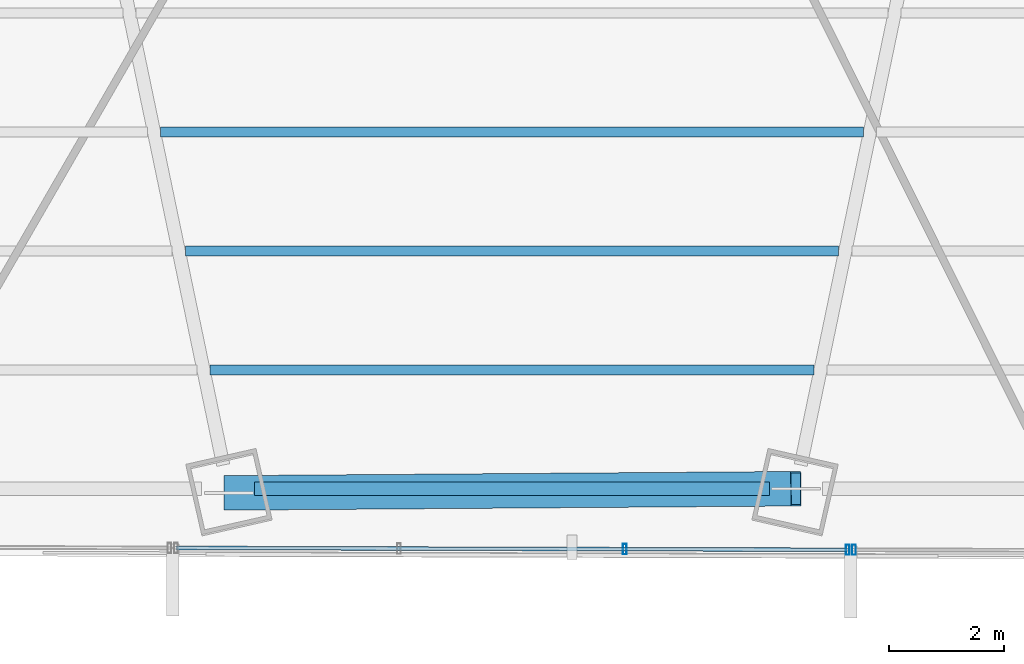
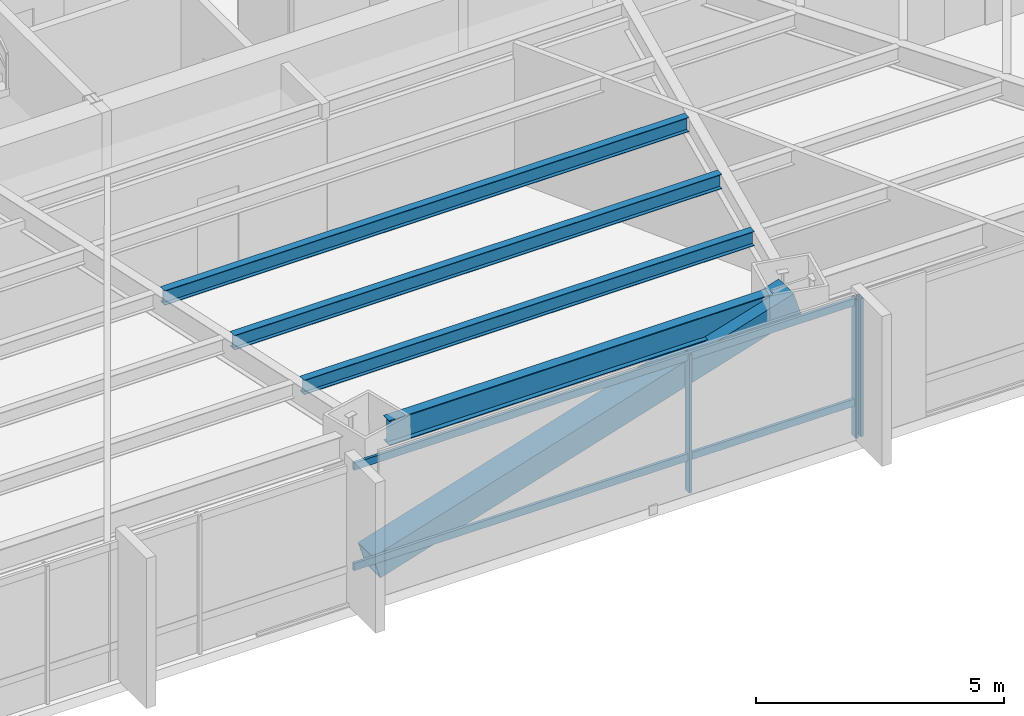
# One storey, part 6 of 33: 6 members, 4 beams, 2 elements without a shape of their own.
"""IFC4 building model written with IfcOpenShell, lengths in metres."""

import ifcopenshell
import ifcopenshell.guid

model = None  # the IFC model being written
_history = None  # IfcOwnerHistory: only IFC2X3 demands one
_inside = {}  # id of a spatial element -> (the spatial element, [elements in it])
_under = {}  # id of a project, library or spatial element -> (it, [spatial elements below it])
_declared = {}  # id of a project -> (the project, [libraries it declares])
_typed = {}  # id of a type object -> (the type object, [elements of that type])
_made_of = {}  # id of a material, layer set ... -> (it, [elements and type objects made of it])


def new_model(schema):
    """Start an empty IFC model of exactly this schema.

    Asked for "IFC4X3", IfcOpenShell would pick the latest addendum, in which some entities
    have other attributes; the version numbers below select the first issue.
    IFC2X3 requires an IfcOwnerHistory on every rooted entity: one is made here for all.
    """
    global model, _history
    if schema == "IFC4X3":
        model = ifcopenshell.file(schema_version=(4, 3, 0, 0))
    else:
        model = ifcopenshell.file(schema=schema)
    _inside.clear()
    _under.clear()
    _declared.clear()
    _typed.clear()
    _made_of.clear()
    _history = None
    if model.schema == "IFC2X3":
        org = make("IfcOrganization", Name="unknown")
        user = make(
            "IfcPersonAndOrganization",
            ThePerson=make("IfcPerson", FamilyName="unknown"),
            TheOrganization=org,
        )
        app = make(
            "IfcApplication",
            ApplicationDeveloper=org,
            Version="unknown",
            ApplicationFullName="unknown",
            ApplicationIdentifier="unknown",
        )
        _history = make(
            "IfcOwnerHistory",
            OwningUser=user,
            OwningApplication=app,
            ChangeAction="ADDED",
            CreationDate=0,
        )
    return model


def make(cls, **values):
    """One entity of the class cls with the attributes given. An attribute that is None is left unset."""
    return model.create_entity(
        cls, **{name: value for name, value in values.items() if value is not None}
    )


def rooted(cls, **values):
    """An entity with a GlobalId (a new one), such as an element, a storey or a relation."""
    return make(cls, GlobalId=ifcopenshell.guid.new(), OwnerHistory=_history, **values)


def si_unit(unit_type, name, prefix=None):
    """IfcSIUnit, for example si_unit("LENGTHUNIT", "METRE", prefix="MILLI")."""
    return make("IfcSIUnit", UnitType=unit_type, Prefix=prefix, Name=name)


def assignment(units):
    """IfcUnitAssignment: the units of a project."""
    return None if units is None else make("IfcUnitAssignment", Units=units)


def point(xyz):
    """IfcCartesianPoint."""
    return None if xyz is None else make("IfcCartesianPoint", Coordinates=xyz)


def direction(xyz):
    """IfcDirection."""
    return None if xyz is None else make("IfcDirection", DirectionRatios=xyz)


def frame(location, z_axis=None, x_axis=None):
    """IfcAxis2Placement3D, a coordinate frame: its origin and axes. An axis left out is left unset."""
    return make(
        "IfcAxis2Placement3D",
        Location=point(location),
        Axis=direction(z_axis),
        RefDirection=direction(x_axis),
    )


def frame_2d(location, x_axis=None):
    """IfcAxis2Placement2D, a coordinate frame in the plane: its origin and x axis."""
    return make(
        "IfcAxis2Placement2D", Location=point(location), RefDirection=direction(x_axis)
    )


def origin():
    """The frame at (0, 0, 0) with its axes left unset."""
    return frame((0.0, 0.0, 0.0))


def origin_2d():
    """The frame at (0, 0) in the plane with its x axis left unset."""
    return frame_2d((0.0, 0.0))


def place(relative_to, where):
    """IfcLocalPlacement: puts the frame where relative to a parent placement (None: the world)."""
    return make(
        "IfcLocalPlacement", PlacementRelTo=relative_to, RelativePlacement=where
    )


def context(
    kind, dimensions, precision=None, world=None, true_north=None, identifier=None
):
    """IfcGeometricRepresentationContext, for example the 3D "Model" context."""
    return make(
        "IfcGeometricRepresentationContext",
        ContextIdentifier=identifier,
        ContextType=kind,
        CoordinateSpaceDimension=dimensions,
        Precision=precision,
        WorldCoordinateSystem=world,
        TrueNorth=true_north,
    )


def subcontext(parent, identifier, kind, view, scale=None):
    """IfcGeometricRepresentationSubContext, for example "Body" below "Model"."""
    return make(
        "IfcGeometricRepresentationSubContext",
        ContextIdentifier=identifier,
        ContextType=kind,
        ParentContext=parent,
        TargetScale=scale,
        TargetView=view,
    )


def project(units=None, contexts=None):
    """IfcProject with its units and contexts."""
    return rooted(
        "IfcProject",
        Name="project",
        RepresentationContexts=contexts,
        UnitsInContext=assignment(units),
    )


def spatial(cls, under=None, at=None, **own):
    """A site, building, storey or space (cls), placed at a placement, below another one or the project."""
    s = rooted(cls, ObjectPlacement=at, **own)
    if under is not None:
        _under.setdefault(under.id(), (under, []))[1].append(s)
    return s


def profile(cls, at=None, kind="AREA", **sizes):
    """A parametric profile (cls). Its sizes go by their IFC names, for example OverallWidth=200.0."""
    return make(cls, ProfileType=kind, Position=at, **sizes)


def hollow_rectangle(**sizes):
    """IfcRectangleHollowProfileDef."""
    return profile("IfcRectangleHollowProfileDef", **sizes)


def i_section(**sizes):
    """IfcIShapeProfileDef."""
    return profile("IfcIShapeProfileDef", **sizes)


def extrude(swept, where, along, depth):
    """IfcExtrudedAreaSolid: the profile swept, set in the frame where, extruded along a direction by depth."""
    return make(
        "IfcExtrudedAreaSolid",
        SweptArea=swept,
        Position=where,
        ExtrudedDirection=direction(along),
        Depth=depth,
    )


def shape(context_of_items, identifier, shape_type, items):
    """IfcShapeRepresentation: the items that make up one representation, for example the "Body"."""
    return make(
        "IfcShapeRepresentation",
        ContextOfItems=context_of_items,
        RepresentationIdentifier=identifier,
        RepresentationType=shape_type,
        Items=items,
    )


def source(mapping_origin, context_of_items, identifier, shape_type, items):
    """IfcRepresentationMap: a shape defined once, which mapped items show again and again."""
    return make(
        "IfcRepresentationMap",
        MappingOrigin=mapping_origin,
        MappedRepresentation=shape(context_of_items, identifier, shape_type, items),
    )


def transform(
    local_origin,
    x_axis=None,
    y_axis=None,
    z_axis=None,
    scale=None,
    scale2=None,
    scale3=None,
    uniform=True,
):
    """IfcCartesianTransformationOperator3D, or its non-uniform kind. x_axis, y_axis, z_axis: its Axis1, 2, 3."""
    if uniform:
        return make(
            "IfcCartesianTransformationOperator3D",
            Axis1=direction(x_axis),
            Axis2=direction(y_axis),
            LocalOrigin=point(local_origin),
            Scale=scale,
            Axis3=direction(z_axis),
        )
    return make(
        "IfcCartesianTransformationOperator3DnonUniform",
        Axis1=direction(x_axis),
        Axis2=direction(y_axis),
        LocalOrigin=point(local_origin),
        Scale=scale,
        Axis3=direction(z_axis),
        Scale2=scale2,
        Scale3=scale3,
    )


def mapped(mapping_source, mapping_target):
    """IfcMappedItem: shows the shape of a source again, moved by a transform."""
    return make(
        "IfcMappedItem", MappingSource=mapping_source, MappingTarget=mapping_target
    )


def material(Name=None, Category=None):
    """IfcMaterial."""
    return make("IfcMaterial", Name=Name, Category=Category)


def material_profile(
    of_material, cross_section, Name=None, Category=None, Priority=None
):
    """IfcMaterialProfile: a cross section and its material."""
    return make(
        "IfcMaterialProfile",
        Name=Name,
        Material=of_material,
        Profile=cross_section,
        Priority=Priority,
        Category=Category,
    )


def profile_set(profiles, Name=None, composite=None):
    """IfcMaterialProfileSet."""
    return make(
        "IfcMaterialProfileSet",
        Name=Name,
        MaterialProfiles=profiles,
        CompositeProfile=composite,
    )


def made_of(thing, what):
    """Note that an element or type object is made of a material, layer set ...; save() writes the relation."""
    if what is not None:
        _made_of.setdefault(what.id(), (what, []))[1].append(thing)
    return thing


def type_object(cls, material=None, **own):
    """A type object (cls), such as IfcWallType, which elements share."""
    return made_of(rooted(cls, **own), material)


def type_shapes(of_type, sources):
    """Give a type object the sources (RepresentationMaps) that its elements show as mapped items."""
    of_type.RepresentationMaps = sources


def element(
    cls,
    number,
    at=None,
    inside=None,
    cuts=None,
    type_object=None,
    material=None,
    context=None,
    identifier="Body",
    shape_type=None,
    held_by="IfcProductDefinitionShape",
    body=None,
    shapes=None,
    **own,
):
    """One element of the class cls, such as IfcWall. Its Tag is "e" and its number.

    at: its placement. inside: the storey or other place that contains it. cuts: it is an
    opening in that element (IfcRelVoidsElement). A single representation is given by context,
    identifier, shape_type and body (its items); several are given by shapes. held_by: the class
    of the entity that holds the representations. save() writes the other relations.
    """
    e = rooted(cls, Tag="e%d" % number, ObjectPlacement=at, **own)
    if body is not None:
        shapes = [shape(context, identifier, shape_type, body)]
    if shapes is not None:
        e.Representation = make(held_by, Representations=shapes)
    if inside is not None:
        _inside.setdefault(inside.id(), (inside, []))[1].append(e)
    if cuts is not None:
        rooted(
            "IfcRelVoidsElement", RelatingBuildingElement=cuts, RelatedOpeningElement=e
        )
    if type_object is not None:
        _typed.setdefault(type_object.id(), (type_object, []))[1].append(e)
    return made_of(e, material)


def aggregate(whole, parts):
    """IfcRelAggregates: a whole, such as a stair, and the parts it consists of."""
    return rooted("IfcRelAggregates", RelatingObject=whole, RelatedObjects=parts)


def save(model, path):
    """Write the relations noted so far, then the file.

    IfcRelAggregates (storeys below a building ...), IfcRelContainedInSpatialStructure (elements
    in a storey), IfcRelDefinesByType, IfcRelAssociatesMaterial and IfcRelDeclares: one each for
    every whole, place, type object, material and project.
    """
    for whole, parts in _under.values():
        aggregate(whole, parts)
    for where, things in _inside.values():
        rooted(
            "IfcRelContainedInSpatialStructure",
            RelatedElements=things,
            RelatingStructure=where,
        )
    for kind, things in _typed.values():
        rooted("IfcRelDefinesByType", RelatedObjects=things, RelatingType=kind)
    for what, things in _made_of.values():
        rooted("IfcRelAssociatesMaterial", RelatedObjects=things, RelatingMaterial=what)
    for by, libraries in _declared.values():
        rooted("IfcRelDeclares", RelatingContext=by, RelatedDefinitions=libraries)
    model.write(path)


model = new_model("IFC4")

# Units and contexts
model_context = context("Model", 3, precision=1e-05, world=origin(), true_north=direction((0.0, 1.0)))
body_context = subcontext(model_context, "Body", "Model", "MODEL_VIEW")
ifc_project = project(units=[si_unit("LENGTHUNIT", "METRE"), si_unit("AREAUNIT", "SQUARE_METRE"), si_unit("VOLUMEUNIT", "CUBIC_METRE"), si_unit("PLANEANGLEUNIT", "RADIAN"), si_unit("MASSUNIT", "GRAM", prefix="KILO")], contexts=[model_context])

# Site, building, storey
site_placement = place(None, origin())
site = spatial("IfcSite", under=ifc_project, at=site_placement, CompositionType="ELEMENT")
building_placement = place(site_placement, origin())
building = spatial("IfcBuilding", under=site, at=building_placement, Name="Caelisora Broadcast Tower", CompositionType="ELEMENT")
storey_placement = place(building_placement, frame((0.0, 0.0, 34.89990234375)))
storey = spatial("IfcBuildingStorey", under=building, at=storey_placement, Name="L08", CompositionType="ELEMENT", Elevation=34.89990234375)

# Beams
ifc_material_1 = material(Name="Steel Grade 350 (AS/NZS 3679.1)", Category="steel")
ifc_material_profile_1 = material_profile(ifc_material_1, i_section(OverallWidth=0.22900390625, OverallDepth=0.611572265625, WebThickness=0.011962890625, FlangeThickness=0.01953125, at=origin_2d()), Name="Steel Grade 350 (AS/NZS 3679.1)")
ifc_profile_set_1 = profile_set([ifc_material_profile_1], Name="Steel Grade 350 (AS/NZS 3679.1)")
beam_type_1 = type_object("IfcBeamType", Name="PG03", PredefinedType="BEAM", material=ifc_profile_set_1)
shared_shape_1 = source(origin(), body_context, "Body", "SweptSolid", [
    extrude(i_section(OverallWidth=0.22900390625, OverallDepth=0.611572265625, WebThickness=0.011962890625, FlangeThickness=0.01953125, at=origin_2d()), origin(), (0.0, 0.0, 1.0), 8.93310546875),
])
type_shapes(beam_type_1, [shared_shape_1])
beam_1_placement = place(storey_placement, frame((33.533447265625, 5.016845703125, 3.09423828125), z_axis=(1.0, 0.0, 0.0), x_axis=(0.0, 1.0, 0.0)))
element("IfcBeam", 1, at=beam_1_placement, inside=storey, type_object=beam_type_1, Name="L08 beam PG03", PredefinedType="BEAM", context=body_context, shape_type="MappedRepresentation", body=[
    mapped(shared_shape_1, transform((0.0, 0.0, 0.0), scale=1.0)),
])
ifc_material_profile_2 = material_profile(ifc_material_1, i_section(OverallWidth=0.172119140625, OverallDepth=0.358642578125, WebThickness=0.008056640625, FlangeThickness=0.012939453125, at=origin_2d()), Name="Steel Grade 350 (AS/NZS 3679.1)")
ifc_profile_set_2 = profile_set([ifc_material_profile_2], Name="Steel Grade 350 (AS/NZS 3679.1)")
beam_type_2 = type_object("IfcBeamType", Name="SB02", PredefinedType="JOIST", material=ifc_profile_set_2)
shared_shape_2 = source(origin(), body_context, "Body", "SweptSolid", [
    extrude(i_section(OverallWidth=0.172119140625, OverallDepth=0.358642578125, WebThickness=0.008056640625, FlangeThickness=0.012939453125, at=origin_2d()), origin(), (0.0, 0.0, 1.0), 12.19970703125),
])
beam_2_placement = place(storey_placement, frame((31.900146484375, 11.20849609375, 3.220703125), z_axis=(1.0, 0.0, 0.0), x_axis=(0.0, 1.0, 0.0)))
element("IfcBeam", 2, at=beam_2_placement, inside=storey, type_object=beam_type_2, Name="L08 beam SB02", PredefinedType="JOIST", context=body_context, shape_type="MappedRepresentation", body=[
    mapped(shared_shape_2, transform((0.0, 0.0, 0.0), scale=1.0)),
])
shared_shape_3 = source(origin(), body_context, "Body", "SweptSolid", [
    extrude(i_section(OverallWidth=0.172119140625, OverallDepth=0.358642578125, WebThickness=0.008056640625, FlangeThickness=0.012939453125, at=origin_2d()), origin(), (0.0, 0.0, 1.0), 11.341796875),
])
beam_3_placement = place(storey_placement, frame((32.3291015625, 9.14453125, 3.220703125), z_axis=(1.0, 0.0, 0.0), x_axis=(0.0, 1.0, 0.0)))
element("IfcBeam", 3, at=beam_3_placement, inside=storey, type_object=beam_type_2, Name="L08 beam SB02", PredefinedType="JOIST", context=body_context, shape_type="MappedRepresentation", body=[
    mapped(shared_shape_3, transform((0.0, 0.0, 0.0), scale=1.0)),
])
shared_shape_4 = source(origin(), body_context, "Body", "SweptSolid", [
    extrude(i_section(OverallWidth=0.172119140625, OverallDepth=0.358642578125, WebThickness=0.008056640625, FlangeThickness=0.012939453125, at=origin_2d()), origin(), (0.0, 0.0, 1.0), 10.484375),
])
type_shapes(beam_type_2, [shared_shape_2, shared_shape_3, shared_shape_4])
beam_4_placement = place(storey_placement, frame((32.7578125, 7.080810546875, 3.220703125), z_axis=(1.0, 0.0, 0.0), x_axis=(0.0, 1.0, 0.0)))
element("IfcBeam", 4, at=beam_4_placement, inside=storey, type_object=beam_type_2, Name="L08 beam SB02", PredefinedType="JOIST", context=body_context, shape_type="MappedRepresentation", body=[
    mapped(shared_shape_4, transform((0.0, 0.0, 0.0), scale=1.0)),
])

# Member
ifc_material_2 = material(Name="Steel Grade 450 L15 (AS/NZS 3678)", Category="steel")
ifc_material_profile_3 = material_profile(ifc_material_2, hollow_rectangle(XDim=0.60009765625, YDim=0.60009765625, WallThickness=0.02490234375, at=origin_2d()), Name="Steel Grade 450 L15 (AS/NZS 3678)")
ifc_profile_set_3 = profile_set([ifc_material_profile_3], Name="Steel Grade 450 L15 (AS/NZS 3678)")
member_type_1 = type_object("IfcMemberType", Name="BR01", PredefinedType="BRACE", material=ifc_profile_set_3)
shared_shape_5 = source(origin(), body_context, "Body", "SweptSolid", [
    extrude(hollow_rectangle(XDim=0.60009765625, YDim=0.60009765625, WallThickness=0.02490234375, at=origin_2d()), origin(), (0.0, 0.0, 1.0), 10.2841796875),
])
type_shapes(member_type_1, [shared_shape_5])
member_1_placement = place(storey_placement, frame((33.08984375, 4.944580078125, 0.10009765625), z_axis=(0.956481338013, 0.007026841628, 0.2917088849), x_axis=(-0.007346355575, 0.999973015166, 0.0)))
element("IfcMember", 5, at=member_1_placement, inside=storey, type_object=member_type_1, Name="L08 perimeter brace BR01", PredefinedType="BRACE", context=body_context, shape_type="MappedRepresentation", body=[
    mapped(shared_shape_5, transform((0.0, 0.0, 0.0), scale=1.0)),
])

# Curtain wall, member
ifc_material_3 = material(Name="Unitised Aluminium and Low-E Glass Curtain Wall", Category="glass")
curtain_wall_type_1 = type_object("IfcCurtainWallType", Name="CW-Z1", PredefinedType="NOTDEFINED", material=ifc_material_3)
curtain_wall_1_placement = place(storey_placement, origin())
curtain_wall_1 = element("IfcCurtainWall", 6, at=curtain_wall_1_placement, inside=storey, type_object=curtain_wall_type_1, Name="L08 curtain wall CW-Z1", PredefinedType="NOTDEFINED")
ifc_material_4 = material(Name="Aluminium 6063-T6 Anodised Terracotta Bronze", Category="aluminium")
ifc_material_profile_4 = material_profile(ifc_material_4, hollow_rectangle(XDim=0.06494140625, YDim=0.179931640625, WallThickness=0.00341796875, at=origin_2d()), Name="Aluminium 6063-T6 Anodised Terracotta Bronze")
ifc_profile_set_4 = profile_set([ifc_material_profile_4], Name="Aluminium 6063-T6 Anodised Terracotta Bronze")
member_type_2 = type_object("IfcMemberType", Name="CWM-02", PredefinedType="MULLION", material=ifc_profile_set_4)
shared_shape_6 = source(origin(), body_context, "Body", "SweptSolid", [
    extrude(hollow_rectangle(XDim=0.06494140625, YDim=0.179931640625, WallThickness=0.00341796875, at=origin_2d()), origin(), (0.0, 0.0, 1.0), 3.400146484375),
])
type_shapes(member_type_2, [shared_shape_6])
member_2_placement = place(storey_placement, frame((43.9375, 3.95703125, 0.0), z_axis=(0.0, 0.0, 1.0), x_axis=(1.0, 0.0, 0.0)))
member_2 = element("IfcMember", 7, at=member_2_placement, type_object=member_type_2, Name="L08-CW-B05 mullion #3", PredefinedType="MULLION", context=body_context, shape_type="MappedRepresentation", body=[
    mapped(shared_shape_6, transform((0.0, 0.0, 0.0), scale=1.0)),
])
aggregate(curtain_wall_1, [member_2])

# Curtain wall, members
ifc_material_5 = material(Name="Unitised Aluminium Insulated Shadow-Box Spandrel Curtain Wall", Category="aluminium")
curtain_wall_type_2 = type_object("IfcCurtainWallType", Name="CW-SP1", PredefinedType="NOTDEFINED", material=ifc_material_5)
curtain_wall_2_placement = place(storey_placement, origin())
curtain_wall_2 = element("IfcCurtainWall", 8, at=curtain_wall_2_placement, inside=storey, type_object=curtain_wall_type_2, Name="L08 curtain wall CW-SP1", PredefinedType="NOTDEFINED")
member_3_placement = place(storey_placement, frame((43.827392578125, 3.957275390625, 0.0), z_axis=(0.0, 0.0, 1.0), x_axis=(1.0, 0.0, 0.0)))
member_3 = element("IfcMember", 9, at=member_3_placement, type_object=member_type_2, Name="L08-CW-B06 mullion #0", PredefinedType="MULLION", context=body_context, shape_type="MappedRepresentation", body=[
    mapped(shared_shape_6, transform((0.0, 0.0, 0.0), scale=1.0)),
])
member_4_placement = place(storey_placement, frame((39.95751953125, 3.968017578125, 0.0), z_axis=(0.0, 0.0, 1.0), x_axis=(1.0, 0.0, 0.0)))
member_4 = element("IfcMember", 10, at=member_4_placement, type_object=member_type_2, Name="L08-CW-B06 mullion #1", PredefinedType="MULLION", context=body_context, shape_type="MappedRepresentation", body=[
    mapped(shared_shape_6, transform((0.0, 0.0, 0.0), scale=1.0)),
])
ifc_material_profile_5 = material_profile(ifc_material_4, hollow_rectangle(XDim=0.06494140625, YDim=0.179931640625, WallThickness=0.00341796875, at=origin_2d()), Name="Aluminium 6063-T6 Anodised Terracotta Bronze")
ifc_profile_set_5 = profile_set([ifc_material_profile_5], Name="Aluminium 6063-T6 Anodised Terracotta Bronze")
member_type_3 = type_object("IfcMemberType", Name="CWT-01", PredefinedType="USERDEFINED", material=ifc_profile_set_5)
shared_shape_7 = source(origin(), body_context, "Body", "SweptSolid", [
    extrude(hollow_rectangle(XDim=0.06494140625, YDim=0.179931640625, WallThickness=0.00341796875, at=origin_2d()), origin(), (0.0, 0.0, 1.0), 11.66015625),
])
type_shapes(member_type_3, [shared_shape_7])
member_5_placement = place(storey_placement, frame((43.827392578125, 3.957275390625, 0.85009765625), z_axis=(-0.999996180674, 0.00276380854, 0.0), x_axis=(-0.00276380854, -0.999996180674, 0.0)))
member_5 = element("IfcMember", 11, at=member_5_placement, type_object=member_type_3, Name="L08-CW-B06 transom #1", ObjectType="TRANSOM", PredefinedType="USERDEFINED", context=body_context, shape_type="MappedRepresentation", body=[
    mapped(shared_shape_7, transform((0.0, 0.0, 0.0), scale=1.0)),
])
member_6_placement = place(storey_placement, frame((43.827392578125, 3.957275390625, 3.320068359375), z_axis=(-0.999996180674, 0.00276380854, 0.0), x_axis=(-0.00276380854, -0.999996180674, 0.0)))
member_6 = element("IfcMember", 12, at=member_6_placement, type_object=member_type_3, Name="L08-CW-B06 transom #2", ObjectType="TRANSOM", PredefinedType="USERDEFINED", context=body_context, shape_type="MappedRepresentation", body=[
    mapped(shared_shape_7, transform((0.0, 0.0, 0.0), scale=1.0)),
])
aggregate(curtain_wall_2, [member_3, member_4, member_5, member_6])

save(model, "model.ifc")
